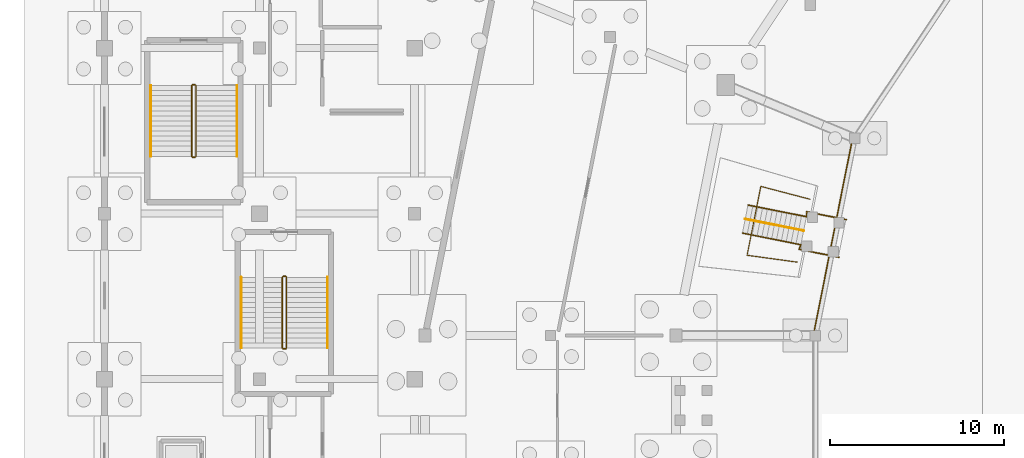
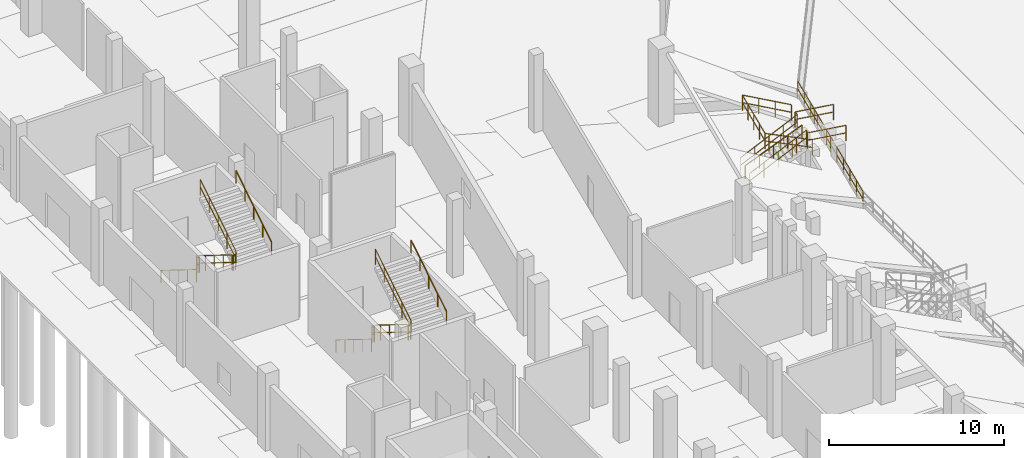
# One storey, part 54 of 68: 17 railings.
"""IFC4 building model written with IfcOpenShell, lengths in metres."""

from ifc_helpers import new_model, si_unit, direction, frame, origin, origin_2d, place, context, subcontext, project, spatial, circle, extrude, material, layer, layer_set, type_object, element, save


model = new_model("IFC4")

# Units and contexts
model_context = context("Model", 3, precision=1e-05, world=origin(), true_north=direction((0.0, 1.0)))
body_context = subcontext(model_context, "Body", "Model", "MODEL_VIEW")
ifc_project = project(units=[si_unit("LENGTHUNIT", "METRE"), si_unit("AREAUNIT", "SQUARE_METRE"), si_unit("VOLUMEUNIT", "CUBIC_METRE"), si_unit("PLANEANGLEUNIT", "RADIAN"), si_unit("MASSUNIT", "GRAM", prefix="KILO")], contexts=[model_context])

# Site, building, storey
site_placement = place(None, origin())
site = spatial("IfcSite", under=ifc_project, at=site_placement, CompositionType="ELEMENT")
building_placement = place(site_placement, origin())
building = spatial("IfcBuilding", under=site, at=building_placement, Name="Candeia Ridge Stadium", CompositionType="ELEMENT")
storey_placement = place(building_placement, origin())
storey = spatial("IfcBuildingStorey", under=building, at=storey_placement, Name="L00", CompositionType="ELEMENT", Elevation=0.0)

# Railings
ifc_material_1 = material(Name="Galvanized Powder-Coated Steel", Category="steel")
ifc_layer_1 = layer(ifc_material_1, 0.074951171875, Name="Galvanized Powder-Coated Steel", Category="steel")
ifc_layer_set_1 = layer_set([ifc_layer_1], Name="Galvanized Powder-Coated Steel")
railing_type_1 = type_object("IfcRailingType", Name="Spectator Bowl Front Guardrail 1120", PredefinedType="GUARDRAIL", material=ifc_layer_set_1)
railing_1_placement = place(storey_placement, frame((43.542236328125, 106.373291015625, 0.85009765625)))
element("IfcRailing", 1, at=railing_1_placement, inside=storey, type_object=railing_type_1, Name="Stand T1 front safety guardrail bay 11", PredefinedType="GUARDRAIL", context=body_context, shape_type="SweptSolid", body=[
    extrude(circle(Radius=0.02392578125, at=origin_2d()), frame((0.0, 0.0, 1.09619140625), z_axis=(-0.19508358537, -0.980786620381, 0.0), x_axis=(0.980786620381, -0.19508358537, 0.0)), (0.0, 0.0, 1.0), 11.59619140625),
    extrude(circle(Radius=0.02392578125, at=origin_2d()), frame((0.0, 0.0, 0.56005859375), z_axis=(-0.19508358537, -0.980786620381, 0.0), x_axis=(0.980786620381, -0.19508358537, 0.0)), (0.0, 0.0, 1.0), 11.59619140625),
    extrude(circle(Radius=0.02099609375, at=origin_2d()), origin(), (0.0, 0.0, 1.0), 1.072021484375),
    extrude(circle(Radius=0.02099609375, at=origin_2d()), frame((-0.226318359375, -1.13720703125, 0.0)), (0.0, 0.0, 1.0), 1.072021484375),
    extrude(circle(Radius=0.02099609375, at=origin_2d()), frame((-0.452392578125, -2.274658203125, 0.0)), (0.0, 0.0, 1.0), 1.072021484375),
    extrude(circle(Radius=0.02099609375, at=origin_2d()), frame((-0.6787109375, -3.412109375, 0.0)), (0.0, 0.0, 1.0), 1.072021484375),
    extrude(circle(Radius=0.02099609375, at=origin_2d()), frame((-0.90478515625, -4.54931640625, 0.0)), (0.0, 0.0, 1.0), 1.072021484375),
    extrude(circle(Radius=0.02099609375, at=origin_2d()), frame((-1.131103515625, -5.6865234375, 0.0)), (0.0, 0.0, 1.0), 1.072021484375),
    extrude(circle(Radius=0.02099609375, at=origin_2d()), frame((-1.357421875, -6.823974609375, 0.0)), (0.0, 0.0, 1.0), 1.072021484375),
    extrude(circle(Radius=0.02099609375, at=origin_2d()), frame((-1.58349609375, -7.961181640625, 0.0)), (0.0, 0.0, 1.0), 1.072021484375),
    extrude(circle(Radius=0.02099609375, at=origin_2d()), frame((-1.809814453125, -9.0986328125, 0.0)), (0.0, 0.0, 1.0), 1.072021484375),
    extrude(circle(Radius=0.02099609375, at=origin_2d()), frame((-2.035888671875, -10.23583984375, 0.0)), (0.0, 0.0, 1.0), 1.072021484375),
    extrude(circle(Radius=0.02099609375, at=origin_2d()), frame((-2.26220703125, -11.373291015625, 0.0)), (0.0, 0.0, 1.0), 1.072021484375),
])
ifc_material_2 = material(Name="Brushed Stainless Steel", Category="steel")
ifc_layer_2 = layer(ifc_material_2, 0.048095703125, Name="Brushed Stainless Steel", Category="steel")
ifc_layer_set_2 = layer_set([ifc_layer_2], Name="Brushed Stainless Steel")
railing_type_2 = type_object("IfcRailingType", Name="Stair Wall & Flight Handrail 900", PredefinedType="HANDRAIL", material=ifc_layer_set_2)
railing_2_placement = place(storey_placement, frame((3.25, 109.35009765625, 0.179931640625)))
element("IfcRailing", 2, at=railing_2_placement, inside=storey, type_object=railing_type_2, Name="L00 ST06 stair handrail 1", PredefinedType="HANDRAIL", context=body_context, shape_type="SweptSolid", body=[
    extrude(circle(Radius=0.02392578125, at=origin_2d()), frame((0.0, 0.0, 0.8759765625), z_axis=(0.0, -0.849641744969, 0.527360318194), x_axis=(1.0, 0.0, 0.0)), (0.0, 0.0, 1.0), 4.778564453125),
    extrude(circle(Radius=0.02099609375, at=origin_2d()), origin(), (0.0, 0.0, 1.0), 0.851806640625),
    extrude(circle(Radius=0.02099609375, at=origin_2d()), frame((0.0, -1.01513671875, 0.6298828125)), (0.0, 0.0, 1.0), 0.851806640625),
    extrude(circle(Radius=0.02099609375, at=origin_2d()), frame((0.0, -2.030029296875, 1.260009765625)), (0.0, 0.0, 1.0), 0.851806640625),
    extrude(circle(Radius=0.02099609375, at=origin_2d()), frame((0.0, -3.044921875, 1.89013671875)), (0.0, 0.0, 1.0), 0.851806640625),
    extrude(circle(Radius=0.02099609375, at=origin_2d()), frame((0.0, -4.06005859375, 2.52001953125)), (0.0, 0.0, 1.0), 0.851806640625),
])
railing_3_placement = place(storey_placement, frame((8.199951171875, 105.2900390625, 2.8798828125)))
element("IfcRailing", 3, at=railing_3_placement, inside=storey, type_object=railing_type_2, Name="L00 ST06 stair handrail 2", PredefinedType="HANDRAIL", context=body_context, shape_type="SweptSolid", body=[
    extrude(circle(Radius=0.02392578125, at=origin_2d()), frame((0.0, 0.0, 0.8759765625), z_axis=(0.0, 0.849641744969, 0.527360318194), x_axis=(-1.0, 0.0, 0.0)), (0.0, 0.0, 1.0), 4.778564453125),
    extrude(circle(Radius=0.02099609375, at=origin_2d()), origin(), (0.0, 0.0, 1.0), 0.851806640625),
    extrude(circle(Radius=0.02099609375, at=origin_2d()), frame((0.0, 1.01513671875, 0.6298828125)), (0.0, 0.0, 1.0), 0.851806640625),
    extrude(circle(Radius=0.02099609375, at=origin_2d()), frame((0.0, 2.030029296875, 1.260009765625)), (0.0, 0.0, 1.0), 0.851806640625),
    extrude(circle(Radius=0.02099609375, at=origin_2d()), frame((0.0, 3.044921875, 1.89013671875)), (0.0, 0.0, 1.0), 0.851806640625),
    extrude(circle(Radius=0.02099609375, at=origin_2d()), frame((0.0, 4.06005859375, 2.52001953125)), (0.0, 0.0, 1.0), 0.851806640625),
])
railing_4_placement = place(storey_placement, frame((8.449951171875, 98.35009765625, 0.179931640625)))
element("IfcRailing", 4, at=railing_4_placement, inside=storey, type_object=railing_type_2, Name="L00 ST08 stair handrail 1", PredefinedType="HANDRAIL", context=body_context, shape_type="SweptSolid", body=[
    extrude(circle(Radius=0.02392578125, at=origin_2d()), frame((0.0, 0.0, 0.8759765625), z_axis=(0.0, -0.849641744969, 0.527360318194), x_axis=(1.0, 0.0, 0.0)), (0.0, 0.0, 1.0), 4.778564453125),
    extrude(circle(Radius=0.02099609375, at=origin_2d()), origin(), (0.0, 0.0, 1.0), 0.851806640625),
    extrude(circle(Radius=0.02099609375, at=origin_2d()), frame((0.0, -1.01513671875, 0.6298828125)), (0.0, 0.0, 1.0), 0.851806640625),
    extrude(circle(Radius=0.02099609375, at=origin_2d()), frame((0.0, -2.030029296875, 1.260009765625)), (0.0, 0.0, 1.0), 0.851806640625),
    extrude(circle(Radius=0.02099609375, at=origin_2d()), frame((0.0, -3.044921875, 1.89013671875)), (0.0, 0.0, 1.0), 0.851806640625),
    extrude(circle(Radius=0.02099609375, at=origin_2d()), frame((0.0, -4.06005859375, 2.52001953125)), (0.0, 0.0, 1.0), 0.851806640625),
])
railing_5_placement = place(storey_placement, frame((13.39990234375, 94.2900390625, 2.8798828125)))
element("IfcRailing", 5, at=railing_5_placement, inside=storey, type_object=railing_type_2, Name="L00 ST08 stair handrail 2", PredefinedType="HANDRAIL", context=body_context, shape_type="SweptSolid", body=[
    extrude(circle(Radius=0.02392578125, at=origin_2d()), frame((0.0, 0.0, 0.8759765625), z_axis=(0.0, 0.849641744969, 0.527360318194), x_axis=(-1.0, 0.0, 0.0)), (0.0, 0.0, 1.0), 4.778564453125),
    extrude(circle(Radius=0.02099609375, at=origin_2d()), origin(), (0.0, 0.0, 1.0), 0.851806640625),
    extrude(circle(Radius=0.02099609375, at=origin_2d()), frame((0.0, 1.01513671875, 0.6298828125)), (0.0, 0.0, 1.0), 0.851806640625),
    extrude(circle(Radius=0.02099609375, at=origin_2d()), frame((0.0, 2.030029296875, 1.260009765625)), (0.0, 0.0, 1.0), 0.851806640625),
    extrude(circle(Radius=0.02099609375, at=origin_2d()), frame((0.0, 3.044921875, 1.89013671875)), (0.0, 0.0, 1.0), 0.851806640625),
    extrude(circle(Radius=0.02099609375, at=origin_2d()), frame((0.0, 4.06005859375, 2.52001953125)), (0.0, 0.0, 1.0), 0.851806640625),
])
railing_6_placement = place(storey_placement, frame((37.37158203125, 101.689208984375, 0.17236328125)))
element("IfcRailing", 6, at=railing_6_placement, inside=storey, type_object=railing_type_2, Name="Vomitory stair handrail VS06", PredefinedType="HANDRAIL", context=body_context, shape_type="SweptSolid", body=[
    extrude(circle(Radius=0.02392578125, at=origin_2d()), frame((0.0, 0.0, 0.8759765625), z_axis=(0.839316016978, -0.166959070849, 0.517371522511), x_axis=(0.195100140729, 0.980783327289, 0.0)), (0.0, 0.0, 1.0), 3.996337890625),
    extrude(circle(Radius=0.02099609375, at=origin_2d()), origin(), (0.0, 0.0, 1.0), 0.851806640625),
    extrude(circle(Radius=0.02099609375, at=origin_2d()), frame((0.838623046875, -0.166748046875, 0.516845703125)), (0.0, 0.0, 1.0), 0.851806640625),
    extrude(circle(Radius=0.02099609375, at=origin_2d()), frame((1.67724609375, -0.33349609375, 1.03369140625)), (0.0, 0.0, 1.0), 0.851806640625),
    extrude(circle(Radius=0.02099609375, at=origin_2d()), frame((2.515625, -0.50048828125, 1.55078125)), (0.0, 0.0, 1.0), 0.851806640625),
    extrude(circle(Radius=0.02099609375, at=origin_2d()), frame((3.354248046875, -0.667236328125, 2.067626953125)), (0.0, 0.0, 1.0), 0.851806640625),
])
ifc_layer_3 = layer(ifc_material_1, 0.06005859375, Name="Galvanized Powder-Coated Steel", Category="steel")
ifc_layer_set_3 = layer_set([ifc_layer_3], Name="Galvanized Powder-Coated Steel")
railing_type_3 = type_object("IfcRailingType", Name="Stair Well Guardrail 1100", PredefinedType="GUARDRAIL", material=ifc_layer_set_3)
railing_7_placement = place(storey_placement, frame((5.60009765625, 109.35009765625, 0.179931640625)))
element("IfcRailing", 7, at=railing_7_placement, inside=storey, type_object=railing_type_3, Name="L00 ST06 stair guard 1", PredefinedType="GUARDRAIL", context=body_context, shape_type="SweptSolid", body=[
    extrude(circle(Radius=0.02392578125, at=origin_2d()), frame((0.0, 0.0, 1.076171875), z_axis=(0.0, -0.849641744969, 0.527360318194), x_axis=(1.0, 0.0, 0.0)), (0.0, 0.0, 1.0), 4.778564453125),
    extrude(circle(Radius=0.02392578125, at=origin_2d()), frame((0.0, 0.0, 0.550048828125), z_axis=(0.0, -0.849641744969, 0.527360318194), x_axis=(1.0, 0.0, 0.0)), (0.0, 0.0, 1.0), 4.778564453125),
    extrude(circle(Radius=0.02099609375, at=origin_2d()), origin(), (0.0, 0.0, 1.0), 1.052001953125),
    extrude(circle(Radius=0.02099609375, at=origin_2d()), frame((0.0, -1.01513671875, 0.6298828125)), (0.0, 0.0, 1.0), 1.052001953125),
    extrude(circle(Radius=0.02099609375, at=origin_2d()), frame((0.0, -2.030029296875, 1.260009765625)), (0.0, 0.0, 1.0), 1.052001953125),
    extrude(circle(Radius=0.02099609375, at=origin_2d()), frame((0.0, -3.044921875, 1.89013671875)), (0.0, 0.0, 1.0), 1.052001953125),
    extrude(circle(Radius=0.02099609375, at=origin_2d()), frame((0.0, -4.06005859375, 2.52001953125)), (0.0, 0.0, 1.0), 1.052001953125),
])
railing_8_placement = place(storey_placement, frame((5.64990234375, 105.239990234375, 2.699951171875)))
element("IfcRailing", 8, at=railing_8_placement, inside=storey, type_object=railing_type_3, Name="L00 ST06 stair guard 2", PredefinedType="GUARDRAIL", context=body_context, shape_type="SweptSolid", body=[
    extrude(circle(Radius=0.02392578125, at=origin_2d()), frame((0.0, 0.0, 1.076171875), z_axis=(1.0, 0.0, 0.0), x_axis=(0.0, 1.0, 0.0)), (0.0, 0.0, 1.0), 0.150146484375),
    extrude(circle(Radius=0.02392578125, at=origin_2d()), frame((0.0, 0.0, 0.550048828125), z_axis=(1.0, 0.0, 0.0), x_axis=(0.0, 1.0, 0.0)), (0.0, 0.0, 1.0), 0.150146484375),
    extrude(circle(Radius=0.02099609375, at=origin_2d()), origin(), (0.0, 0.0, 1.0), 1.052001953125),
    extrude(circle(Radius=0.02099609375, at=origin_2d()), frame((0.150146484375, 0.0, 0.0)), (0.0, 0.0, 1.0), 1.052001953125),
])
railing_9_placement = place(storey_placement, frame((5.85009765625, 105.2900390625, 2.8798828125)))
element("IfcRailing", 9, at=railing_9_placement, inside=storey, type_object=railing_type_3, Name="L00 ST06 stair guard 3", PredefinedType="GUARDRAIL", context=body_context, shape_type="SweptSolid", body=[
    extrude(circle(Radius=0.02392578125, at=origin_2d()), frame((0.0, 0.0, 1.076171875), z_axis=(0.0, 0.849641744969, 0.527360318194), x_axis=(-1.0, 0.0, 0.0)), (0.0, 0.0, 1.0), 4.778564453125),
    extrude(circle(Radius=0.02392578125, at=origin_2d()), frame((0.0, 0.0, 0.550048828125), z_axis=(0.0, 0.849641744969, 0.527360318194), x_axis=(-1.0, 0.0, 0.0)), (0.0, 0.0, 1.0), 4.778564453125),
    extrude(circle(Radius=0.02099609375, at=origin_2d()), origin(), (0.0, 0.0, 1.0), 1.052001953125),
    extrude(circle(Radius=0.02099609375, at=origin_2d()), frame((0.0, 1.01513671875, 0.6298828125)), (0.0, 0.0, 1.0), 1.052001953125),
    extrude(circle(Radius=0.02099609375, at=origin_2d()), frame((0.0, 2.030029296875, 1.260009765625)), (0.0, 0.0, 1.0), 1.052001953125),
    extrude(circle(Radius=0.02099609375, at=origin_2d()), frame((0.0, 3.044921875, 1.89013671875)), (0.0, 0.0, 1.0), 1.052001953125),
    extrude(circle(Radius=0.02099609375, at=origin_2d()), frame((0.0, 4.06005859375, 2.52001953125)), (0.0, 0.0, 1.0), 1.052001953125),
])
railing_10_placement = place(storey_placement, frame((5.64990234375, 109.39990234375, 0.0)))
element("IfcRailing", 10, at=railing_10_placement, inside=storey, type_object=railing_type_3, Name="L00 ST06 stair guard 4", PredefinedType="GUARDRAIL", context=body_context, shape_type="SweptSolid", body=[
    extrude(circle(Radius=0.02392578125, at=origin_2d()), frame((0.0, 0.0, 1.076171875), z_axis=(1.0, 0.0, 0.0), x_axis=(0.0, 1.0, 0.0)), (0.0, 0.0, 1.0), 0.150146484375),
    extrude(circle(Radius=0.02392578125, at=origin_2d()), frame((0.0, 0.0, 0.550048828125), z_axis=(1.0, 0.0, 0.0), x_axis=(0.0, 1.0, 0.0)), (0.0, 0.0, 1.0), 0.150146484375),
    extrude(circle(Radius=0.02099609375, at=origin_2d()), origin(), (0.0, 0.0, 1.0), 1.052001953125),
    extrude(circle(Radius=0.02099609375, at=origin_2d()), frame((0.150146484375, 0.0, 0.0)), (0.0, 0.0, 1.0), 1.052001953125),
])
railing_11_placement = place(storey_placement, frame((10.800048828125, 98.35009765625, 0.179931640625)))
element("IfcRailing", 11, at=railing_11_placement, inside=storey, type_object=railing_type_3, Name="L00 ST08 stair guard 1", PredefinedType="GUARDRAIL", context=body_context, shape_type="SweptSolid", body=[
    extrude(circle(Radius=0.02392578125, at=origin_2d()), frame((0.0, 0.0, 1.076171875), z_axis=(0.0, -0.849641744969, 0.527360318194), x_axis=(1.0, 0.0, 0.0)), (0.0, 0.0, 1.0), 4.778564453125),
    extrude(circle(Radius=0.02392578125, at=origin_2d()), frame((0.0, 0.0, 0.550048828125), z_axis=(0.0, -0.849641744969, 0.527360318194), x_axis=(1.0, 0.0, 0.0)), (0.0, 0.0, 1.0), 4.778564453125),
    extrude(circle(Radius=0.02099609375, at=origin_2d()), origin(), (0.0, 0.0, 1.0), 1.052001953125),
    extrude(circle(Radius=0.02099609375, at=origin_2d()), frame((0.0, -1.01513671875, 0.6298828125)), (0.0, 0.0, 1.0), 1.052001953125),
    extrude(circle(Radius=0.02099609375, at=origin_2d()), frame((0.0, -2.030029296875, 1.260009765625)), (0.0, 0.0, 1.0), 1.052001953125),
    extrude(circle(Radius=0.02099609375, at=origin_2d()), frame((0.0, -3.044921875, 1.89013671875)), (0.0, 0.0, 1.0), 1.052001953125),
    extrude(circle(Radius=0.02099609375, at=origin_2d()), frame((0.0, -4.06005859375, 2.52001953125)), (0.0, 0.0, 1.0), 1.052001953125),
])
railing_12_placement = place(storey_placement, frame((10.85009765625, 94.239990234375, 2.699951171875)))
element("IfcRailing", 12, at=railing_12_placement, inside=storey, type_object=railing_type_3, Name="L00 ST08 stair guard 2", PredefinedType="GUARDRAIL", context=body_context, shape_type="SweptSolid", body=[
    extrude(circle(Radius=0.02392578125, at=origin_2d()), frame((0.0, 0.0, 1.076171875), z_axis=(1.0, 0.0, 0.0), x_axis=(0.0, 1.0, 0.0)), (0.0, 0.0, 1.0), 0.14990234375),
    extrude(circle(Radius=0.02392578125, at=origin_2d()), frame((0.0, 0.0, 0.550048828125), z_axis=(1.0, 0.0, 0.0), x_axis=(0.0, 1.0, 0.0)), (0.0, 0.0, 1.0), 0.14990234375),
    extrude(circle(Radius=0.02099609375, at=origin_2d()), origin(), (0.0, 0.0, 1.0), 1.052001953125),
    extrude(circle(Radius=0.02099609375, at=origin_2d()), frame((0.14990234375, 0.0, 0.0)), (0.0, 0.0, 1.0), 1.052001953125),
])
railing_13_placement = place(storey_placement, frame((11.050048828125, 94.2900390625, 2.8798828125)))
element("IfcRailing", 13, at=railing_13_placement, inside=storey, type_object=railing_type_3, Name="L00 ST08 stair guard 3", PredefinedType="GUARDRAIL", context=body_context, shape_type="SweptSolid", body=[
    extrude(circle(Radius=0.02392578125, at=origin_2d()), frame((0.0, 0.0, 1.076171875), z_axis=(0.0, 0.849641744969, 0.527360318194), x_axis=(-1.0, 0.0, 0.0)), (0.0, 0.0, 1.0), 4.778564453125),
    extrude(circle(Radius=0.02392578125, at=origin_2d()), frame((0.0, 0.0, 0.550048828125), z_axis=(0.0, 0.849641744969, 0.527360318194), x_axis=(-1.0, 0.0, 0.0)), (0.0, 0.0, 1.0), 4.778564453125),
    extrude(circle(Radius=0.02099609375, at=origin_2d()), origin(), (0.0, 0.0, 1.0), 1.052001953125),
    extrude(circle(Radius=0.02099609375, at=origin_2d()), frame((0.0, 1.01513671875, 0.6298828125)), (0.0, 0.0, 1.0), 1.052001953125),
    extrude(circle(Radius=0.02099609375, at=origin_2d()), frame((0.0, 2.030029296875, 1.260009765625)), (0.0, 0.0, 1.0), 1.052001953125),
    extrude(circle(Radius=0.02099609375, at=origin_2d()), frame((0.0, 3.044921875, 1.89013671875)), (0.0, 0.0, 1.0), 1.052001953125),
    extrude(circle(Radius=0.02099609375, at=origin_2d()), frame((0.0, 4.06005859375, 2.52001953125)), (0.0, 0.0, 1.0), 1.052001953125),
])
railing_14_placement = place(storey_placement, frame((10.85009765625, 98.39990234375, 0.0)))
element("IfcRailing", 14, at=railing_14_placement, inside=storey, type_object=railing_type_3, Name="L00 ST08 stair guard 4", PredefinedType="GUARDRAIL", context=body_context, shape_type="SweptSolid", body=[
    extrude(circle(Radius=0.02392578125, at=origin_2d()), frame((0.0, 0.0, 1.076171875), z_axis=(1.0, 0.0, 0.0), x_axis=(0.0, 1.0, 0.0)), (0.0, 0.0, 1.0), 0.14990234375),
    extrude(circle(Radius=0.02392578125, at=origin_2d()), frame((0.0, 0.0, 0.550048828125), z_axis=(1.0, 0.0, 0.0), x_axis=(0.0, 1.0, 0.0)), (0.0, 0.0, 1.0), 0.14990234375),
    extrude(circle(Radius=0.02099609375, at=origin_2d()), origin(), (0.0, 0.0, 1.0), 1.052001953125),
    extrude(circle(Radius=0.02099609375, at=origin_2d()), frame((0.14990234375, 0.0, 0.0)), (0.0, 0.0, 1.0), 1.052001953125),
])
ifc_layer_4 = layer(ifc_material_1, 0.070068359375, Name="Galvanized Powder-Coated Steel", Category="steel")
ifc_layer_set_4 = layer_set([ifc_layer_4], Name="Galvanized Powder-Coated Steel")
railing_type_4 = type_object("IfcRailingType", Name="Vomitory Portal Guardrail 1100", PredefinedType="GUARDRAIL", material=ifc_layer_set_4)
railing_15_placement = place(storey_placement, frame((41.085205078125, 102.82861328125, 2.239990234375)))
element("IfcRailing", 15, at=railing_15_placement, inside=storey, type_object=railing_type_4, Name="Vomitory portal guardrail VS06", PredefinedType="GUARDRAIL", context=body_context, shape_type="SweptSolid", body=[
    extrude(circle(Radius=0.02392578125, at=origin_2d()), frame((0.0, 0.0, 1.076171875), z_axis=(-0.892931247638, 0.23367871472, 0.384796108709), x_axis=(-0.253172599664, -0.96742112587, 0.0)), (0.0, 0.0, 1.0), 3.1552734375),
    extrude(circle(Radius=0.02392578125, at=origin_2d()), frame((0.0, 0.0, 0.550048828125), z_axis=(-0.892931247638, 0.23367871472, 0.384796108709), x_axis=(-0.253172599664, -0.96742112587, 0.0)), (0.0, 0.0, 1.0), 3.1552734375),
    extrude(circle(Radius=0.02392578125, at=origin_2d()), frame((-2.8173828125, 0.7373046875, 2.2900390625), z_axis=(-0.195079434576, -0.980787445987, 0.0), x_axis=(0.980787445987, -0.195079434576, 0.0)), (0.0, 0.0, 1.0), 4.031005859375),
    extrude(circle(Radius=0.02392578125, at=origin_2d()), frame((-2.8173828125, 0.7373046875, 1.76416015625), z_axis=(-0.195079434576, -0.980787445987, 0.0), x_axis=(0.980787445987, -0.195079434576, 0.0)), (0.0, 0.0, 1.0), 4.031005859375),
    extrude(circle(Radius=0.02392578125, at=origin_2d()), frame((-3.603759765625, -3.21630859375, 2.2900390625), z_axis=(0.914382854834, -0.125817595156, -0.384803751975), x_axis=(0.136313988444, 0.990665683545, 0.0)), (0.0, 0.0, 1.0), 3.155029296875),
    extrude(circle(Radius=0.02392578125, at=origin_2d()), frame((-3.603759765625, -3.21630859375, 1.76416015625), z_axis=(0.914382854834, -0.125817595156, -0.384803751975), x_axis=(0.136313988444, 0.990665683545, 0.0)), (0.0, 0.0, 1.0), 3.155029296875),
    extrude(circle(Radius=0.02099609375, at=origin_2d()), origin(), (0.0, 0.0, 1.0), 1.052001953125),
    extrude(circle(Radius=0.02099609375, at=origin_2d()), frame((-0.939208984375, 0.245849609375, 0.40478515625)), (0.0, 0.0, 1.0), 1.052001953125),
    extrude(circle(Radius=0.02099609375, at=origin_2d()), frame((-1.878173828125, 0.491455078125, 0.809326171875)), (0.0, 0.0, 1.0), 1.052001953125),
    extrude(circle(Radius=0.02099609375, at=origin_2d()), frame((-2.8173828125, 0.7373046875, 1.214111328125)), (0.0, 0.0, 1.0), 1.052001953125),
    extrude(circle(Radius=0.02099609375, at=origin_2d()), frame((-3.013916015625, -0.2509765625, 1.214111328125)), (0.0, 0.0, 1.0), 1.052001953125),
    extrude(circle(Radius=0.02099609375, at=origin_2d()), frame((-3.21044921875, -1.239501953125, 1.214111328125)), (0.0, 0.0, 1.0), 1.052001953125),
    extrude(circle(Radius=0.02099609375, at=origin_2d()), frame((-3.4072265625, -2.22802734375, 1.214111328125)), (0.0, 0.0, 1.0), 1.052001953125),
    extrude(circle(Radius=0.02099609375, at=origin_2d()), frame((-3.603759765625, -3.21630859375, 1.214111328125)), (0.0, 0.0, 1.0), 1.052001953125),
    extrude(circle(Radius=0.02099609375, at=origin_2d()), frame((-2.64208984375, -3.3486328125, 0.809326171875)), (0.0, 0.0, 1.0), 1.052001953125),
    extrude(circle(Radius=0.02099609375, at=origin_2d()), frame((-1.680419921875, -3.48095703125, 0.40478515625)), (0.0, 0.0, 1.0), 1.052001953125),
    extrude(circle(Radius=0.02099609375, at=origin_2d()), frame((-0.71875, -3.61328125, 0.0)), (0.0, 0.0, 1.0), 1.052001953125),
])
railing_16_placement = place(storey_placement, frame((37.531494140625, 102.493408203125, 0.0)))
element("IfcRailing", 16, at=railing_16_placement, inside=storey, type_object=railing_type_4, Name="Vomitory stair & landing side guardrail VS06-L", PredefinedType="GUARDRAIL", context=body_context, shape_type="SweptSolid", body=[
    extrude(circle(Radius=0.02392578125, at=origin_2d()), frame((0.0, 0.0, 1.076171875), z_axis=(0.820461766456, -0.163208531023, 0.547910088597), x_axis=(0.195100140729, 0.980783327289, 0.0)), (0.0, 0.0, 1.0), 4.088134765625),
    extrude(circle(Radius=0.02392578125, at=origin_2d()), frame((0.0, 0.0, 0.550048828125), z_axis=(0.820461766456, -0.163208531023, 0.547910088597), x_axis=(0.195100140729, 0.980783327289, 0.0)), (0.0, 0.0, 1.0), 4.088134765625),
    extrude(circle(Radius=0.02392578125, at=origin_2d()), frame((3.354248046875, -0.667236328125, 3.31591796875), z_axis=(0.054370623932, 0.998520823645, 0.0), x_axis=(-0.998520823645, 0.054370623932, 0.0)), (0.0, 0.0, 1.0), 0.282958984375),
    extrude(circle(Radius=0.02392578125, at=origin_2d()), frame((3.354248046875, -0.667236328125, 2.7900390625), z_axis=(0.054370623932, 0.998520823645, 0.0), x_axis=(-0.998520823645, 0.054370623932, 0.0)), (0.0, 0.0, 1.0), 0.282958984375),
    extrude(circle(Radius=0.02392578125, at=origin_2d()), frame((3.36962890625, -0.384765625, 3.31591796875), z_axis=(0.980782527032, -0.195104163639, 0.0), x_axis=(0.195104163639, 0.980782527032, 0.0)), (0.0, 0.0, 1.0), 2.320068359375),
    extrude(circle(Radius=0.02392578125, at=origin_2d()), frame((3.36962890625, -0.384765625, 2.7900390625), z_axis=(0.980782527032, -0.195104163639, 0.0), x_axis=(0.195104163639, 0.980782527032, 0.0)), (0.0, 0.0, 1.0), 2.320068359375),
    extrude(circle(Radius=0.02099609375, at=origin_2d()), origin(), (0.0, 0.0, 1.0), 1.052001953125),
    extrude(circle(Radius=0.02099609375, at=origin_2d()), frame((0.838623046875, -0.166748046875, 0.56005859375)), (0.0, 0.0, 1.0), 1.052001953125),
    extrude(circle(Radius=0.02099609375, at=origin_2d()), frame((1.67724609375, -0.33349609375, 1.1201171875)), (0.0, 0.0, 1.0), 1.052001953125),
    extrude(circle(Radius=0.02099609375, at=origin_2d()), frame((2.515625, -0.50048828125, 1.679931640625)), (0.0, 0.0, 1.0), 1.052001953125),
    extrude(circle(Radius=0.02099609375, at=origin_2d()), frame((3.354248046875, -0.667236328125, 2.239990234375)), (0.0, 0.0, 1.0), 1.052001953125),
    extrude(circle(Radius=0.02099609375, at=origin_2d()), frame((3.36962890625, -0.384765625, 2.239990234375)), (0.0, 0.0, 1.0), 1.052001953125),
    extrude(circle(Radius=0.02099609375, at=origin_2d()), frame((4.50732421875, -0.611083984375, 2.239990234375)), (0.0, 0.0, 1.0), 1.052001953125),
    extrude(circle(Radius=0.02099609375, at=origin_2d()), frame((5.64501953125, -0.83740234375, 2.239990234375)), (0.0, 0.0, 1.0), 1.052001953125),
])
railing_17_placement = place(storey_placement, frame((37.211669921875, 100.885009765625, 0.0)))
element("IfcRailing", 17, at=railing_17_placement, inside=storey, type_object=railing_type_4, Name="Vomitory stair & landing side guardrail VS06-R", PredefinedType="GUARDRAIL", context=body_context, shape_type="SweptSolid", body=[
    extrude(circle(Radius=0.02392578125, at=origin_2d()), frame((0.0, 0.0, 1.076171875), z_axis=(0.820461766456, -0.163208531023, 0.547910088597), x_axis=(0.195100140729, 0.980783327289, 0.0)), (0.0, 0.0, 1.0), 4.088134765625),
    extrude(circle(Radius=0.02392578125, at=origin_2d()), frame((0.0, 0.0, 0.550048828125), z_axis=(0.820461766456, -0.163208531023, 0.547910088597), x_axis=(0.195100140729, 0.980783327289, 0.0)), (0.0, 0.0, 1.0), 4.088134765625),
    extrude(circle(Radius=0.02392578125, at=origin_2d()), frame((3.354248046875, -0.667236328125, 3.31591796875), z_axis=(-0.331963044739, -0.943292392065, 0.0), x_axis=(0.943292392065, -0.331963044739, 0.0)), (0.0, 0.0, 1.0), 0.283203125),
    extrude(circle(Radius=0.02392578125, at=origin_2d()), frame((3.354248046875, -0.667236328125, 2.7900390625), z_axis=(-0.331963044739, -0.943292392065, 0.0), x_axis=(0.943292392065, -0.331963044739, 0.0)), (0.0, 0.0, 1.0), 0.283203125),
    extrude(circle(Radius=0.02392578125, at=origin_2d()), frame((3.26025390625, -0.934326171875, 3.31591796875), z_axis=(0.980802659281, -0.195002932151, 0.0), x_axis=(0.195002932151, 0.980802659281, 0.0)), (0.0, 0.0, 1.0), 2.31982421875),
    extrude(circle(Radius=0.02392578125, at=origin_2d()), frame((3.26025390625, -0.934326171875, 2.7900390625), z_axis=(0.980802659281, -0.195002932151, 0.0), x_axis=(0.195002932151, 0.980802659281, 0.0)), (0.0, 0.0, 1.0), 2.31982421875),
    extrude(circle(Radius=0.02099609375, at=origin_2d()), origin(), (0.0, 0.0, 1.0), 1.052001953125),
    extrude(circle(Radius=0.02099609375, at=origin_2d()), frame((0.838623046875, -0.166748046875, 0.56005859375)), (0.0, 0.0, 1.0), 1.052001953125),
    extrude(circle(Radius=0.02099609375, at=origin_2d()), frame((1.67724609375, -0.33349609375, 1.1201171875)), (0.0, 0.0, 1.0), 1.052001953125),
    extrude(circle(Radius=0.02099609375, at=origin_2d()), frame((2.515625, -0.50048828125, 1.679931640625)), (0.0, 0.0, 1.0), 1.052001953125),
    extrude(circle(Radius=0.02099609375, at=origin_2d()), frame((3.354248046875, -0.667236328125, 2.239990234375)), (0.0, 0.0, 1.0), 1.052001953125),
    extrude(circle(Radius=0.02099609375, at=origin_2d()), frame((3.26025390625, -0.934326171875, 2.239990234375)), (0.0, 0.0, 1.0), 1.052001953125),
    extrude(circle(Radius=0.02099609375, at=origin_2d()), frame((4.39794921875, -1.16064453125, 2.239990234375)), (0.0, 0.0, 1.0), 1.052001953125),
    extrude(circle(Radius=0.02099609375, at=origin_2d()), frame((5.53564453125, -1.38671875, 2.239990234375)), (0.0, 0.0, 1.0), 1.052001953125),
])

save(model, "model.ifc")
